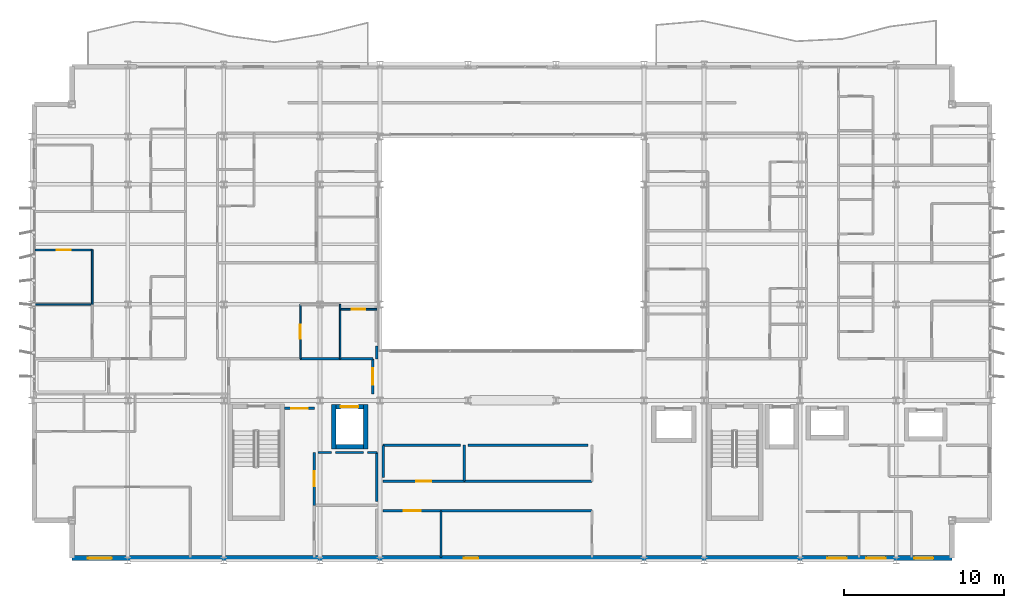
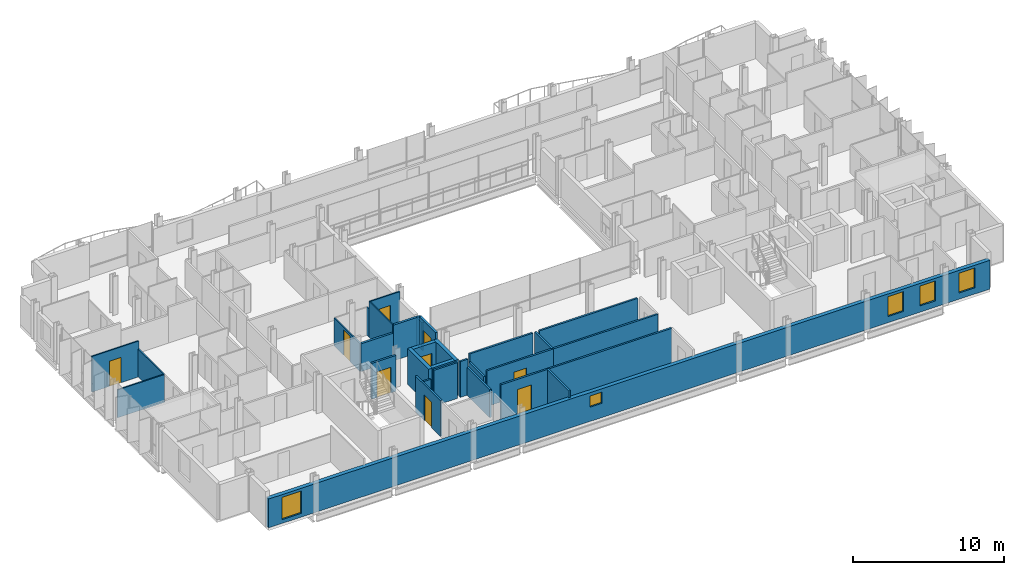
# One storey, part 28 of 38: 31 walls, 9 doors, 5 windows, 14 openings.
"""IFC4 building model written with IfcOpenShell, lengths in metres."""

import ifcopenshell
import ifcopenshell.guid

model = None  # the IFC model being written
_history = None  # IfcOwnerHistory: only IFC2X3 demands one
_inside = {}  # id of a spatial element -> (the spatial element, [elements in it])
_under = {}  # id of a project, library or spatial element -> (it, [spatial elements below it])
_declared = {}  # id of a project -> (the project, [libraries it declares])
_typed = {}  # id of a type object -> (the type object, [elements of that type])
_made_of = {}  # id of a material, layer set ... -> (it, [elements and type objects made of it])


def new_model(schema):
    """Start an empty IFC model of exactly this schema.

    Asked for "IFC4X3", IfcOpenShell would pick the latest addendum, in which some entities
    have other attributes; the version numbers below select the first issue.
    IFC2X3 requires an IfcOwnerHistory on every rooted entity: one is made here for all.
    """
    global model, _history
    if schema == "IFC4X3":
        model = ifcopenshell.file(schema_version=(4, 3, 0, 0))
    else:
        model = ifcopenshell.file(schema=schema)
    _inside.clear()
    _under.clear()
    _declared.clear()
    _typed.clear()
    _made_of.clear()
    _history = None
    if model.schema == "IFC2X3":
        org = make("IfcOrganization", Name="unknown")
        user = make(
            "IfcPersonAndOrganization",
            ThePerson=make("IfcPerson", FamilyName="unknown"),
            TheOrganization=org,
        )
        app = make(
            "IfcApplication",
            ApplicationDeveloper=org,
            Version="unknown",
            ApplicationFullName="unknown",
            ApplicationIdentifier="unknown",
        )
        _history = make(
            "IfcOwnerHistory",
            OwningUser=user,
            OwningApplication=app,
            ChangeAction="ADDED",
            CreationDate=0,
        )
    return model


def make(cls, **values):
    """One entity of the class cls with the attributes given. An attribute that is None is left unset."""
    return model.create_entity(
        cls, **{name: value for name, value in values.items() if value is not None}
    )


def rooted(cls, **values):
    """An entity with a GlobalId (a new one), such as an element, a storey or a relation."""
    return make(cls, GlobalId=ifcopenshell.guid.new(), OwnerHistory=_history, **values)


def si_unit(unit_type, name, prefix=None):
    """IfcSIUnit, for example si_unit("LENGTHUNIT", "METRE", prefix="MILLI")."""
    return make("IfcSIUnit", UnitType=unit_type, Prefix=prefix, Name=name)


def assignment(units):
    """IfcUnitAssignment: the units of a project."""
    return None if units is None else make("IfcUnitAssignment", Units=units)


def point(xyz):
    """IfcCartesianPoint."""
    return None if xyz is None else make("IfcCartesianPoint", Coordinates=xyz)


def direction(xyz):
    """IfcDirection."""
    return None if xyz is None else make("IfcDirection", DirectionRatios=xyz)


def frame(location, z_axis=None, x_axis=None):
    """IfcAxis2Placement3D, a coordinate frame: its origin and axes. An axis left out is left unset."""
    return make(
        "IfcAxis2Placement3D",
        Location=point(location),
        Axis=direction(z_axis),
        RefDirection=direction(x_axis),
    )


def frame_2d(location, x_axis=None):
    """IfcAxis2Placement2D, a coordinate frame in the plane: its origin and x axis."""
    return make(
        "IfcAxis2Placement2D", Location=point(location), RefDirection=direction(x_axis)
    )


def origin():
    """The frame at (0, 0, 0) with its axes left unset."""
    return frame((0.0, 0.0, 0.0))


def place(relative_to, where):
    """IfcLocalPlacement: puts the frame where relative to a parent placement (None: the world)."""
    return make(
        "IfcLocalPlacement", PlacementRelTo=relative_to, RelativePlacement=where
    )


def context(
    kind, dimensions, precision=None, world=None, true_north=None, identifier=None
):
    """IfcGeometricRepresentationContext, for example the 3D "Model" context."""
    return make(
        "IfcGeometricRepresentationContext",
        ContextIdentifier=identifier,
        ContextType=kind,
        CoordinateSpaceDimension=dimensions,
        Precision=precision,
        WorldCoordinateSystem=world,
        TrueNorth=true_north,
    )


def subcontext(parent, identifier, kind, view, scale=None):
    """IfcGeometricRepresentationSubContext, for example "Body" below "Model"."""
    return make(
        "IfcGeometricRepresentationSubContext",
        ContextIdentifier=identifier,
        ContextType=kind,
        ParentContext=parent,
        TargetScale=scale,
        TargetView=view,
    )


def project(units=None, contexts=None):
    """IfcProject with its units and contexts."""
    return rooted(
        "IfcProject",
        Name="project",
        RepresentationContexts=contexts,
        UnitsInContext=assignment(units),
    )


def spatial(cls, under=None, at=None, **own):
    """A site, building, storey or space (cls), placed at a placement, below another one or the project."""
    s = rooted(cls, ObjectPlacement=at, **own)
    if under is not None:
        _under.setdefault(under.id(), (under, []))[1].append(s)
    return s


def profile(cls, at=None, kind="AREA", **sizes):
    """A parametric profile (cls). Its sizes go by their IFC names, for example OverallWidth=200.0."""
    return make(cls, ProfileType=kind, Position=at, **sizes)


def rectangle(**sizes):
    """IfcRectangleProfileDef."""
    return profile("IfcRectangleProfileDef", **sizes)


def extrude(swept, where, along, depth):
    """IfcExtrudedAreaSolid: the profile swept, set in the frame where, extruded along a direction by depth."""
    return make(
        "IfcExtrudedAreaSolid",
        SweptArea=swept,
        Position=where,
        ExtrudedDirection=direction(along),
        Depth=depth,
    )


def shape(context_of_items, identifier, shape_type, items):
    """IfcShapeRepresentation: the items that make up one representation, for example the "Body"."""
    return make(
        "IfcShapeRepresentation",
        ContextOfItems=context_of_items,
        RepresentationIdentifier=identifier,
        RepresentationType=shape_type,
        Items=items,
    )


def material(Name=None, Category=None):
    """IfcMaterial."""
    return make("IfcMaterial", Name=Name, Category=Category)


def layer(
    of_material, thickness, ventilated=None, Name=None, Category=None, Priority=None
):
    """IfcMaterialLayer: one layer of a wall or slab, of a material (None: an air gap)."""
    return make(
        "IfcMaterialLayer",
        Material=of_material,
        LayerThickness=thickness,
        IsVentilated=ventilated,
        Name=Name,
        Category=Category,
        Priority=Priority,
    )


def layer_set(layers, Name=None):
    """IfcMaterialLayerSet."""
    return make("IfcMaterialLayerSet", MaterialLayers=layers, LayerSetName=Name)


def made_of(thing, what):
    """Note that an element or type object is made of a material, layer set ...; save() writes the relation."""
    if what is not None:
        _made_of.setdefault(what.id(), (what, []))[1].append(thing)
    return thing


def type_object(cls, material=None, **own):
    """A type object (cls), such as IfcWallType, which elements share."""
    return made_of(rooted(cls, **own), material)


def element(
    cls,
    number,
    at=None,
    inside=None,
    cuts=None,
    type_object=None,
    material=None,
    context=None,
    identifier="Body",
    shape_type=None,
    held_by="IfcProductDefinitionShape",
    body=None,
    shapes=None,
    **own,
):
    """One element of the class cls, such as IfcWall. Its Tag is "e" and its number.

    at: its placement. inside: the storey or other place that contains it. cuts: it is an
    opening in that element (IfcRelVoidsElement). A single representation is given by context,
    identifier, shape_type and body (its items); several are given by shapes. held_by: the class
    of the entity that holds the representations. save() writes the other relations.
    """
    e = rooted(cls, Tag="e%d" % number, ObjectPlacement=at, **own)
    if body is not None:
        shapes = [shape(context, identifier, shape_type, body)]
    if shapes is not None:
        e.Representation = make(held_by, Representations=shapes)
    if inside is not None:
        _inside.setdefault(inside.id(), (inside, []))[1].append(e)
    if cuts is not None:
        rooted(
            "IfcRelVoidsElement", RelatingBuildingElement=cuts, RelatedOpeningElement=e
        )
    if type_object is not None:
        _typed.setdefault(type_object.id(), (type_object, []))[1].append(e)
    return made_of(e, material)


def fill(opening, filler):
    """IfcRelFillsElement: the door or window that sits in an opening."""
    return rooted(
        "IfcRelFillsElement",
        RelatingOpeningElement=opening,
        RelatedBuildingElement=filler,
    )


def aggregate(whole, parts):
    """IfcRelAggregates: a whole, such as a stair, and the parts it consists of."""
    return rooted("IfcRelAggregates", RelatingObject=whole, RelatedObjects=parts)


def save(model, path):
    """Write the relations noted so far, then the file.

    IfcRelAggregates (storeys below a building ...), IfcRelContainedInSpatialStructure (elements
    in a storey), IfcRelDefinesByType, IfcRelAssociatesMaterial and IfcRelDeclares: one each for
    every whole, place, type object, material and project.
    """
    for whole, parts in _under.values():
        aggregate(whole, parts)
    for where, things in _inside.values():
        rooted(
            "IfcRelContainedInSpatialStructure",
            RelatedElements=things,
            RelatingStructure=where,
        )
    for kind, things in _typed.values():
        rooted("IfcRelDefinesByType", RelatedObjects=things, RelatingType=kind)
    for what, things in _made_of.values():
        rooted("IfcRelAssociatesMaterial", RelatedObjects=things, RelatingMaterial=what)
    for by, libraries in _declared.values():
        rooted("IfcRelDeclares", RelatingContext=by, RelatedDefinitions=libraries)
    model.write(path)


model = new_model("IFC4")

# Units and contexts
model_context = context("Model", 3, precision=1e-05, world=origin(), true_north=direction((0.0, 1.0)))
body_context = subcontext(model_context, "Body", "Model", "MODEL_VIEW")
ifc_project = project(units=[si_unit("LENGTHUNIT", "METRE"), si_unit("AREAUNIT", "SQUARE_METRE"), si_unit("VOLUMEUNIT", "CUBIC_METRE"), si_unit("PLANEANGLEUNIT", "RADIAN"), si_unit("MASSUNIT", "GRAM", prefix="KILO")], contexts=[model_context])

# Site, building, storey
site_placement = place(None, origin())
site = spatial("IfcSite", under=ifc_project, at=site_placement, CompositionType="ELEMENT")
building_placement = place(site_placement, origin())
building = spatial("IfcBuilding", under=site, at=building_placement, Name="Brevholm Reach", CompositionType="ELEMENT")
storey_placement = place(building_placement, frame((0.0, 0.0, 122.10009765625)))
storey = spatial("IfcBuildingStorey", under=building, at=storey_placement, Name="L36", CompositionType="ELEMENT", Elevation=122.10009765625)

# Walls
ifc_material_1 = material(Name="Concrete C50/60", Category="concrete")
ifc_layer_1 = layer(ifc_material_1, 0.280029296875)
ifc_layer_set_1 = layer_set([ifc_layer_1], Name="Concrete C50/60")
wall_type_1 = type_object("IfcWallType", Name="WAL-COR-280", PredefinedType="SHEAR", material=ifc_layer_set_1)
for number, where, z_axis, x_axis, name in (
    (1, (18.85009765625, 6.9599609375, 0.0), (0.0, 0.0, 1.0), (0.0, 1.0, 0.0), "L36 Lift FFL-1 Shaft Wall W"),
    (2, (20.85009765625, 6.9599609375, 0.0), (0.0, 0.0, 1.0), (0.0, 1.0, 0.0), "L36 Lift FFL-1 Shaft Wall E"),
):
    element("IfcWall", number, at=place(storey_placement, frame(where, z_axis=z_axis, x_axis=x_axis)), inside=storey, type_object=wall_type_1, Name=name, PredefinedType="SHEAR", context=body_context, shape_type="SweptSolid", body=[
        extrude(rectangle(XDim=2.780029296875, YDim=0.280029296875, at=frame_2d((1.39013671875, 0.0))), origin(), (0.0, 0.0, 1.0), 2.8798828125),
    ])
wall_1_placement = place(storey_placement, frame((18.989990234375, 7.10009765625, 0.0), z_axis=(0.0, 0.0, 1.0), x_axis=(1.0, 0.0, 0.0)))
element("IfcWall", 3, at=wall_1_placement, inside=storey, type_object=wall_type_1, Name="L36 Lift FFL-1 Shaft Wall S", PredefinedType="SHEAR", context=body_context, shape_type="SweptSolid", body=[
    extrude(rectangle(XDim=1.719970703125, YDim=0.280029296875, at=frame_2d((0.85986328125, 0.0))), origin(), (0.0, 0.0, 1.0), 2.8798828125),
])

# Wall, opening, door
wall_2_placement = place(storey_placement, frame((18.989990234375, 9.60009765625, 0.0), z_axis=(0.0, 0.0, 1.0), x_axis=(1.0, 0.0, 0.0)))
wall_2 = element("IfcWall", 4, at=wall_2_placement, inside=storey, type_object=wall_type_1, Name="L36 Lift FFL-1 Shaft Wall N", PredefinedType="SHEAR", context=body_context, shape_type="SweptSolid", body=[
    extrude(rectangle(XDim=1.719970703125, YDim=0.280029296875, at=frame_2d((0.85986328125, 0.0))), origin(), (0.0, 0.0, 1.0), 2.8798828125),
])
opening_1_placement = place(wall_2_placement, frame((0.31005859375, 0.0, 0.0)))
opening_1 = element("IfcOpeningElement", 5, at=opening_1_placement, cuts=wall_2, Name="Opening LD-FFL-1", PredefinedType="OPENING", context=body_context, shape_type="SweptSolid", body=[
    extrude(rectangle(XDim=1.10009765625, YDim=2.06005859375, at=frame_2d((0.550048828125, 1.030029296875))), frame((0.0, 0.14990234375, 0.0), z_axis=(0.0, -1.0, 0.0), x_axis=(1.0, 0.0, 0.0)), (0.0, 0.0, 1.0), 0.300048828125),
])
ifc_material_2 = material(Name="Brushed Stainless Steel Fire-Rated Sliding Lift Door", Category="steel")
door_type_1 = type_object("IfcDoorType", Name="DOR-LFT-1100", OperationType="NOTDEFINED", PredefinedType="DOOR", material=ifc_material_2)
door_1_placement = place(opening_1_placement, origin())
door_1 = element("IfcDoor", 6, at=door_1_placement, inside=storey, type_object=door_type_1, Name="L36 Lift FFL-1 Sliding Landing Door", OperationType="SLIDING_TO_RIGHT", OverallHeight=2.06005859375, OverallWidth=1.10009765625, PredefinedType="DOOR", context=body_context, shape_type="SweptSolid", body=[
    extrude(rectangle(XDim=1.10009765625, YDim=2.06005859375, at=frame_2d((0.550048828125, 1.030029296875))), frame((0.0, 0.02490234375, 0.0), z_axis=(0.0, -1.0, 0.0), x_axis=(1.0, 0.0, 0.0)), (0.0, 0.0, 1.0), 0.050048828125),
])
fill(opening_1, door_1)

# Wall, openings, windows
ifc_material_3 = material(Name="Concrete C40/50", Category="concrete")
ifc_layer_2 = layer(ifc_material_3, 0.300048828125)
ifc_layer_set_2 = layer_set([ifc_layer_2], Name="Concrete C40/50")
wall_type_2 = type_object("IfcWallType", Name="WAL-EXT-300", PredefinedType="STANDARD", material=ifc_layer_set_2)
wall_3_placement = place(storey_placement, frame((2.5, 0.14990234375, 0.0), z_axis=(0.0, 0.0, 1.0), x_axis=(1.0, 0.0, 0.0)))
wall_3 = element("IfcWall", 7, at=wall_3_placement, inside=storey, type_object=wall_type_2, Name="L36 Facade Wall WAL-L36-S", PredefinedType="STANDARD", context=body_context, shape_type="SweptSolid", body=[
    extrude(rectangle(XDim=55.0, YDim=0.300048828125, at=frame_2d((27.5, 0.0))), origin(), (0.0, 0.0, 1.0), 2.32177734375),
])
opening_2_placement = place(wall_3_placement, frame((1.0, 0.0, 0.302001953125)))
opening_2 = element("IfcOpeningElement", 8, at=opening_2_placement, cuts=wall_3, Name="Opening WN-05", PredefinedType="OPENING", context=body_context, shape_type="SweptSolid", body=[
    extrude(rectangle(XDim=1.5, YDim=1.800048828125, at=frame_2d((0.75, 0.89990234375))), frame((0.0, 0.159912109375, 0.0), z_axis=(0.0, -1.0, 0.0), x_axis=(1.0, 0.0, 0.0)), (0.0, 0.0, 1.0), 0.320068359375),
])
opening_3_placement = place(wall_3_placement, frame((24.5, 0.0, 1.14990234375)))
opening_3 = element("IfcOpeningElement", 9, at=opening_3_placement, cuts=wall_3, Name="Opening WN-09", PredefinedType="OPENING", context=body_context, shape_type="SweptSolid", body=[
    extrude(rectangle(XDim=0.89990234375, YDim=0.89990234375, at=frame_2d((0.449951171875, 0.449951171875))), frame((0.0, 0.159912109375, 0.0), z_axis=(0.0, -1.0, 0.0), x_axis=(1.0, 0.0, 0.0)), (0.0, 0.0, 1.0), 0.320068359375),
])
opening_4_placement = place(wall_3_placement, frame((47.199951171875, 0.0, 0.501953125)))
opening_4 = element("IfcOpeningElement", 10, at=opening_4_placement, cuts=wall_3, Name="Opening WN-08", PredefinedType="OPENING", context=body_context, shape_type="SweptSolid", body=[
    extrude(rectangle(XDim=1.199951171875, YDim=1.60009765625, at=frame_2d((0.60009765625, 0.800048828125))), frame((0.0, 0.159912109375, 0.0), z_axis=(0.0, -1.0, 0.0), x_axis=(1.0, 0.0, 0.0)), (0.0, 0.0, 1.0), 0.320068359375),
])
opening_5_placement = place(wall_3_placement, frame((52.6298828125, 0.0, 0.501953125)))
opening_5 = element("IfcOpeningElement", 11, at=opening_5_placement, cuts=wall_3, Name="Opening WN-08", PredefinedType="OPENING", context=body_context, shape_type="SweptSolid", body=[
    extrude(rectangle(XDim=1.199951171875, YDim=1.60009765625, at=frame_2d((0.60009765625, 0.800048828125))), frame((0.0, 0.159912109375, 0.0), z_axis=(0.0, -1.0, 0.0), x_axis=(1.0, 0.0, 0.0)), (0.0, 0.0, 1.0), 0.320068359375),
])
opening_6_placement = place(wall_3_placement, frame((49.643310546875, 0.0, 0.501953125)))
opening_6 = element("IfcOpeningElement", 12, at=opening_6_placement, cuts=wall_3, Name="Opening WN-08", PredefinedType="OPENING", context=body_context, shape_type="SweptSolid", body=[
    extrude(rectangle(XDim=1.199951171875, YDim=1.60009765625, at=frame_2d((0.60009765625, 0.800048828125))), frame((0.0, 0.159912109375, 0.0), z_axis=(0.0, -1.0, 0.0), x_axis=(1.0, 0.0, 0.0)), (0.0, 0.0, 1.0), 0.320068359375),
])
ifc_material_4 = material(Name="Dark Anodised Aluminium and Solar-Control IGU Glass", Category="aluminium")
window_type_1 = type_object("IfcWindowType", Name="WIN-POR-0900", PartitioningType="SINGLE_PANEL", PredefinedType="WINDOW", material=ifc_material_4)
window_1_placement = place(opening_3_placement, origin())
window_1 = element("IfcWindow", 13, at=window_1_placement, inside=storey, type_object=window_type_1, Name="L36 Window WIN-L36-S-POR", OverallHeight=0.89990234375, OverallWidth=0.89990234375, PartitioningType="SINGLE_PANEL", PredefinedType="WINDOW", context=body_context, shape_type="SweptSolid", body=[
    extrude(rectangle(XDim=0.89990234375, YDim=0.89990234375, at=frame_2d((0.449951171875, 0.449951171875))), frame((0.0, 0.030029296875, 0.0), z_axis=(0.0, -1.0, 0.0), x_axis=(1.0, 0.0, 0.0)), (0.0, 0.0, 1.0), 0.06005859375),
])
fill(opening_3, window_1)
ifc_material_5 = material(Name="Dark Anodised Aluminium and Solar-Control IGU Glass", Category="aluminium")
window_type_2 = type_object("IfcWindowType", Name="WIN-RES-1200", PartitioningType="SINGLE_PANEL", PredefinedType="WINDOW", material=ifc_material_5)
window_2_placement = place(opening_4_placement, origin())
window_2 = element("IfcWindow", 14, at=window_2_placement, inside=storey, type_object=window_type_2, Name="L36 Window WIN-L36-S-E1", OverallHeight=1.60009765625, OverallWidth=1.199951171875, PartitioningType="SINGLE_PANEL", PredefinedType="WINDOW", context=body_context, shape_type="SweptSolid", body=[
    extrude(rectangle(XDim=1.199951171875, YDim=1.60009765625, at=frame_2d((0.60009765625, 0.800048828125))), frame((0.0, 0.030029296875, 0.0), z_axis=(0.0, -1.0, 0.0), x_axis=(1.0, 0.0, 0.0)), (0.0, 0.0, 1.0), 0.06005859375),
])
fill(opening_4, window_2)
window_3_placement = place(opening_5_placement, origin())
window_3 = element("IfcWindow", 15, at=window_3_placement, inside=storey, type_object=window_type_2, Name="L36 Window WIN-L36-S-E2", OverallHeight=1.60009765625, OverallWidth=1.199951171875, PartitioningType="SINGLE_PANEL", PredefinedType="WINDOW", context=body_context, shape_type="SweptSolid", body=[
    extrude(rectangle(XDim=1.199951171875, YDim=1.60009765625, at=frame_2d((0.60009765625, 0.800048828125))), frame((0.0, 0.030029296875, 0.0), z_axis=(0.0, -1.0, 0.0), x_axis=(1.0, 0.0, 0.0)), (0.0, 0.0, 1.0), 0.06005859375),
])
fill(opening_5, window_3)
window_4_placement = place(opening_6_placement, origin())
window_4 = element("IfcWindow", 16, at=window_4_placement, inside=storey, type_object=window_type_2, Name="L36 Bedroom Window 041", OverallHeight=1.60009765625, OverallWidth=1.199951171875, PartitioningType="SINGLE_PANEL", PredefinedType="WINDOW", context=body_context, shape_type="SweptSolid", body=[
    extrude(rectangle(XDim=1.199951171875, YDim=1.60009765625, at=frame_2d((0.60009765625, 0.800048828125))), frame((0.0, 0.030029296875, 0.0), z_axis=(0.0, -1.0, 0.0), x_axis=(1.0, 0.0, 0.0)), (0.0, 0.0, 1.0), 0.06005859375),
])
fill(opening_6, window_4)
ifc_material_6 = material(Name="Dark Anodised Aluminium and Solar-Control IGU Glass", Category="aluminium")
window_type_3 = type_object("IfcWindowType", Name="WIN-RES-1500", PartitioningType="SINGLE_PANEL", PredefinedType="WINDOW", material=ifc_material_6)
window_5_placement = place(opening_2_placement, origin())
window_5 = element("IfcWindow", 17, at=window_5_placement, inside=storey, type_object=window_type_3, Name="L36 Window WIN-L36-S-W1", OverallHeight=1.800048828125, OverallWidth=1.5, PartitioningType="SINGLE_PANEL", PredefinedType="WINDOW", context=body_context, shape_type="SweptSolid", body=[
    extrude(rectangle(XDim=1.5, YDim=1.800048828125, at=frame_2d((0.75, 0.89990234375))), frame((0.0, 0.030029296875, 0.0), z_axis=(0.0, -1.0, 0.0), x_axis=(1.0, 0.0, 0.0)), (0.0, 0.0, 1.0), 0.06005859375),
])
fill(opening_2, window_5)

# Walls
ifc_material_7 = material(Name="Moisture-Resistant Acoustic Gypsum Stud Partition 100 mm", Category="gypsum")
ifc_layer_3 = layer(ifc_material_7, 0.10009765625)
ifc_layer_set_3 = layer_set([ifc_layer_3], Name="Moisture-Resistant Acoustic Gypsum Stud Partition 100 mm")
wall_type_3 = type_object("IfcWallType", Name="WAL-PRT-100", PredefinedType="PARTITIONING", material=ifc_layer_set_3)
wall_4_placement = place(storey_placement, frame((0.199951171875, 16.0, 0.0), z_axis=(0.0, 0.0, 1.0), x_axis=(1.0, 0.0, 0.0)))
element("IfcWall", 18, at=wall_4_placement, inside=storey, type_object=wall_type_3, Name="L36 Internal Partition 092", PredefinedType="PARTITIONING", context=body_context, shape_type="SweptSolid", body=[
    extrude(rectangle(XDim=3.572021484375, YDim=0.10009765625, at=frame_2d((1.7861328125, 0.0))), origin(), (0.0, 0.0, 1.0), 2.24267578125),
])
wall_5_placement = place(storey_placement, frame((3.77197265625, 16.00390625, 0.0), z_axis=(0.0, 0.0, 1.0), x_axis=(0.0, 1.0, 0.0)))
element("IfcWall", 19, at=wall_5_placement, inside=storey, type_object=wall_type_3, Name="L36 Internal Partition 094", PredefinedType="PARTITIONING", context=body_context, shape_type="SweptSolid", body=[
    extrude(rectangle(XDim=3.39599609375, YDim=0.10009765625, at=frame_2d((1.697998046875, 0.0))), origin(), (0.0, 0.0, 1.0), 2.24267578125),
])

# Wall, opening, door
wall_6_placement = place(storey_placement, frame((0.199951171875, 19.39990234375, 0.0), z_axis=(0.0, 0.0, 1.0), x_axis=(1.0, 0.0, 0.0)))
wall_6 = element("IfcWall", 20, at=wall_6_placement, inside=storey, type_object=wall_type_3, Name="L36 Internal Partition 095", PredefinedType="PARTITIONING", context=body_context, shape_type="SweptSolid", body=[
    extrude(rectangle(XDim=3.572021484375, YDim=0.10009765625, at=frame_2d((1.7861328125, 0.0))), origin(), (0.0, 0.0, 1.0), 2.8798828125),
])
opening_7_placement = place(wall_6_placement, frame((1.345947265625, 0.0, 0.0)))
opening_7 = element("IfcOpeningElement", 21, at=opening_7_placement, cuts=wall_6, Name="Opening ID-01", PredefinedType="OPENING", context=body_context, shape_type="SweptSolid", body=[
    extrude(rectangle(XDim=0.8798828125, YDim=2.0400390625, at=frame_2d((0.43994140625, 1.02001953125))), frame((0.0, 0.06005859375, 0.0), z_axis=(0.0, -1.0, 0.0), x_axis=(1.0, 0.0, 0.0)), (0.0, 0.0, 1.0), 0.1201171875),
])
ifc_material_8 = material(Name="Lacquered Ash Solid-Core Acoustic Internal Door", Category="timber")
door_type_2 = type_object("IfcDoorType", Name="DOR-INT-880", OperationType="NOTDEFINED", PredefinedType="DOOR", material=ifc_material_8)
door_2_placement = place(opening_7_placement, origin())
door_2 = element("IfcDoor", 22, at=door_2_placement, inside=storey, type_object=door_type_2, Name="L36 Internal Door 036", OperationType="SINGLE_SWING_RIGHT", OverallHeight=2.0400390625, OverallWidth=0.8798828125, PredefinedType="DOOR", context=body_context, shape_type="SweptSolid", body=[
    extrude(rectangle(XDim=0.8798828125, YDim=2.0400390625, at=frame_2d((0.43994140625, 1.02001953125))), frame((0.0, 0.02490234375, 0.0), z_axis=(0.0, -1.0, 0.0), x_axis=(1.0, 0.0, 0.0)), (0.0, 0.0, 1.0), 0.050048828125),
])
fill(opening_7, door_2)

# Wall
wall_7_placement = place(storey_placement, frame((19.260986328125, 12.60400390625, 0.0), z_axis=(0.0, 0.0, 1.0), x_axis=(0.0, 1.0, 0.0)))
element("IfcWall", 23, at=wall_7_placement, inside=storey, type_object=wall_type_3, Name="L36 Internal Partition 105", PredefinedType="PARTITIONING", context=body_context, shape_type="SweptSolid", body=[
    extrude(rectangle(XDim=3.095947265625, YDim=0.10009765625, at=frame_2d((1.5478515625, 0.0))), origin(), (0.0, 0.0, 1.0), 2.8798828125),
])

# Wall, opening, door
wall_8_placement = place(storey_placement, frame((19.260986328125, 15.699951171875, 0.0), z_axis=(0.0, 0.0, 1.0), x_axis=(1.0, 0.0, 0.0)))
wall_8 = element("IfcWall", 24, at=wall_8_placement, inside=storey, type_object=wall_type_3, Name="L36 Internal Partition 106", PredefinedType="PARTITIONING", context=body_context, shape_type="SweptSolid", body=[
    extrude(rectangle(XDim=2.2890625, YDim=0.10009765625, at=frame_2d((1.14453125, 0.0))), origin(), (0.0, 0.0, 1.0), 2.8798828125),
])
opening_8_placement = place(wall_8_placement, frame((0.734619140625, 0.0, 0.0)))
opening_8 = element("IfcOpeningElement", 25, at=opening_8_placement, cuts=wall_8, Name="Opening ID-03", PredefinedType="OPENING", context=body_context, shape_type="SweptSolid", body=[
    extrude(rectangle(XDim=0.820068359375, YDim=2.02001953125, at=frame_2d((0.41015625, 1.010009765625))), frame((0.0, 0.06005859375, 0.0), z_axis=(0.0, -1.0, 0.0), x_axis=(1.0, 0.0, 0.0)), (0.0, 0.0, 1.0), 0.1201171875),
])
ifc_material_9 = material(Name="Moisture-Resistant Painted Timber Internal Bathroom Door", Category="wood")
door_type_3 = type_object("IfcDoorType", Name="DOR-BATH-820", OperationType="NOTDEFINED", PredefinedType="DOOR", material=ifc_material_9)
door_3_placement = place(opening_8_placement, origin())
door_3 = element("IfcDoor", 26, at=door_3_placement, inside=storey, type_object=door_type_3, Name="L36 Internal Door 040", OperationType="SINGLE_SWING_RIGHT", OverallHeight=2.02001953125, OverallWidth=0.820068359375, PredefinedType="DOOR", context=body_context, shape_type="SweptSolid", body=[
    extrude(rectangle(XDim=0.820068359375, YDim=2.02001953125, at=frame_2d((0.41015625, 1.010009765625))), frame((0.0, 0.02490234375, 0.0), z_axis=(0.0, -1.0, 0.0), x_axis=(1.0, 0.0, 0.0)), (0.0, 0.0, 1.0), 0.050048828125),
])
fill(opening_8, door_3)

# Wall
wall_9_placement = place(storey_placement, frame((19.260986328125, 15.7041015625, 0.0), z_axis=(0.0, 0.0, 1.0), x_axis=(0.0, 1.0, 0.0)))
element("IfcWall", 27, at=wall_9_placement, inside=storey, type_object=wall_type_3, Name="L36 Internal Partition 107", PredefinedType="PARTITIONING", context=body_context, shape_type="SweptSolid", body=[
    extrude(rectangle(XDim=0.2958984375, YDim=0.10009765625, at=frame_2d((0.14794921875, 0.0))), origin(), (0.0, 0.0, 1.0), 2.24267578125),
])

# Wall, opening, door
wall_10_placement = place(storey_placement, frame((16.77294921875, 12.60400390625, 0.0), z_axis=(0.0, 0.0, 1.0), x_axis=(0.0, 1.0, 0.0)))
wall_10 = element("IfcWall", 28, at=wall_10_placement, inside=storey, type_object=wall_type_3, Name="L36 Internal Partition 109", PredefinedType="PARTITIONING", context=body_context, shape_type="SweptSolid", body=[
    extrude(rectangle(XDim=3.39599609375, YDim=0.10009765625, at=frame_2d((1.697998046875, 0.0))), origin(), (0.0, 0.0, 1.0), 2.24267578125),
])
opening_9_placement = place(wall_10_placement, frame((1.258056640625, 0.0, 0.0)))
opening_9 = element("IfcOpeningElement", 29, at=opening_9_placement, cuts=wall_10, Name="Opening ID-01", PredefinedType="OPENING", context=body_context, shape_type="SweptSolid", body=[
    extrude(rectangle(XDim=0.8798828125, YDim=2.0400390625, at=frame_2d((0.43994140625, 1.02001953125))), frame((0.0, 0.06005859375, 0.0), z_axis=(0.0, -1.0, 0.0), x_axis=(1.0, 0.0, 0.0)), (0.0, 0.0, 1.0), 0.1201171875),
])
door_4_placement = place(opening_9_placement, origin())
door_4 = element("IfcDoor", 30, at=door_4_placement, inside=storey, type_object=door_type_2, Name="L36 Internal Door 041", OperationType="SINGLE_SWING_LEFT", OverallHeight=2.0400390625, OverallWidth=0.8798828125, PredefinedType="DOOR", context=body_context, shape_type="SweptSolid", body=[
    extrude(rectangle(XDim=0.8798828125, YDim=2.0400390625, at=frame_2d((0.43994140625, 1.02001953125))), frame((0.0, 0.02490234375, 0.0), z_axis=(0.0, -1.0, 0.0), x_axis=(1.0, 0.0, 0.0)), (0.0, 0.0, 1.0), 0.050048828125),
])
fill(opening_9, door_4)

ifc_material_10 = material(Name="Twin-Stud Acoustic Fire-Rated Gypsum Partition 140 mm", Category="gypsum")
ifc_layer_4 = layer(ifc_material_10, 0.139892578125)
ifc_layer_set_4 = layer_set([ifc_layer_4], Name="Twin-Stud Acoustic Fire-Rated Gypsum Partition 140 mm")
wall_type_4 = type_object("IfcWallType", Name="WAL-PRT-140", PredefinedType="PARTITIONING", material=ifc_layer_set_4)
wall_11_placement = place(storey_placement, frame((21.949951171875, 3.10009765625, 0.0), z_axis=(0.0, 0.0, 1.0), x_axis=(1.0, 0.0, 0.0)))
wall_11 = element("IfcWall", 31, at=wall_11_placement, inside=storey, type_object=wall_type_4, Name="L36 Internal Partition 003", PredefinedType="PARTITIONING", context=body_context, shape_type="SweptSolid", body=[
    extrude(rectangle(XDim=3.621337890625, YDim=0.139892578125, at=frame_2d((1.810546875, 0.0))), origin(), (0.0, 0.0, 1.0), 2.8798828125),
])
opening_10_placement = place(wall_11_placement, frame((1.28564453125, 0.0, 0.0)))
opening_10 = element("IfcOpeningElement", 32, at=opening_10_placement, cuts=wall_11, Name="Opening FD-01", PredefinedType="OPENING", context=body_context, shape_type="SweptSolid", body=[
    extrude(rectangle(XDim=1.050048828125, YDim=2.06005859375, at=frame_2d((0.52490234375, 1.030029296875))), frame((0.0, 0.079833984375, 0.0), z_axis=(0.0, -1.0, 0.0), x_axis=(1.0, 0.0, 0.0)), (0.0, 0.0, 1.0), 0.159912109375),
])
ifc_material_11 = material(Name="Hardwood-Lipped Steel-Core Fire and Smoke Door", Category="steel")
door_type_4 = type_object("IfcDoorType", Name="DOR-INT-FD60S", OperationType="NOTDEFINED", PredefinedType="DOOR", material=ifc_material_11)
door_5_placement = place(opening_10_placement, origin())
door_5 = element("IfcDoor", 33, at=door_5_placement, inside=storey, type_object=door_type_4, Name="L36 Internal Door 003", OperationType="SINGLE_SWING_LEFT", OverallHeight=2.06005859375, OverallWidth=1.050048828125, PredefinedType="DOOR", context=body_context, shape_type="SweptSolid", body=[
    extrude(rectangle(XDim=1.050048828125, YDim=2.06005859375, at=frame_2d((0.52490234375, 1.030029296875))), frame((0.0, 0.02490234375, 0.0), z_axis=(0.0, -1.0, 0.0), x_axis=(1.0, 0.0, 0.0)), (0.0, 0.0, 1.0), 0.050048828125),
])
fill(opening_10, door_5)

# Wall
wall_12_placement = place(storey_placement, frame((25.552734375, 3.10009765625, 0.0), z_axis=(0.0, 0.0, 1.0), x_axis=(1.0, 0.0, 0.0)))
element("IfcWall", 34, at=wall_12_placement, inside=storey, type_object=wall_type_4, Name="L36 Internal Partition 004", PredefinedType="PARTITIONING", context=body_context, shape_type="SweptSolid", body=[
    extrude(rectangle(XDim=9.443359375, YDim=0.139892578125, at=frame_2d((4.7216796875, 0.0))), origin(), (0.0, 0.0, 1.0), 2.8798828125),
])

# Wall, opening, door
wall_13_placement = place(storey_placement, frame((21.949951171875, 4.949951171875, 0.0), z_axis=(0.0, 0.0, 1.0), x_axis=(1.0, 0.0, 0.0)))
wall_13 = element("IfcWall", 35, at=wall_13_placement, inside=storey, type_object=wall_type_4, Name="L36 Internal Partition 005", PredefinedType="PARTITIONING", context=body_context, shape_type="SweptSolid", body=[
    extrude(rectangle(XDim=5.0712890625, YDim=0.139892578125, at=frame_2d((2.53564453125, 0.0))), origin(), (0.0, 0.0, 1.0), 2.8798828125),
])
opening_11_placement = place(wall_13_placement, frame((2.060791015625, 0.0, 0.0)))
opening_11 = element("IfcOpeningElement", 36, at=opening_11_placement, cuts=wall_13, Name="Opening ID-30", PredefinedType="OPENING", context=body_context, shape_type="SweptSolid", body=[
    extrude(rectangle(XDim=0.949951171875, YDim=2.050048828125, at=frame_2d((0.47509765625, 1.02490234375))), frame((0.0, 0.079833984375, 0.0), z_axis=(0.0, -1.0, 0.0), x_axis=(1.0, 0.0, 0.0)), (0.0, 0.0, 1.0), 0.159912109375),
])
ifc_material_12 = material(Name="European Oak Veneered Solid-Core Fire Entrance Door", Category="timber")
door_type_5 = type_object("IfcDoorType", Name="DOR-FLT-FD30S", OperationType="NOTDEFINED", PredefinedType="DOOR", material=ifc_material_12)
door_6_placement = place(opening_11_placement, origin())
door_6 = element("IfcDoor", 37, at=door_6_placement, inside=storey, type_object=door_type_5, Name="L36 Internal Door 004", OperationType="SINGLE_SWING_RIGHT", OverallHeight=2.050048828125, OverallWidth=0.949951171875, PredefinedType="DOOR", context=body_context, shape_type="SweptSolid", body=[
    extrude(rectangle(XDim=0.949951171875, YDim=2.050048828125, at=frame_2d((0.47509765625, 1.02490234375))), frame((0.0, 0.02490234375, 0.0), z_axis=(0.0, -1.0, 0.0), x_axis=(1.0, 0.0, 0.0)), (0.0, 0.0, 1.0), 0.050048828125),
])
fill(opening_11, door_6)

# Walls
wall_14_placement = place(storey_placement, frame((27.002685546875, 4.949951171875, 0.0), z_axis=(0.0, 0.0, 1.0), x_axis=(1.0, 0.0, 0.0)))
element("IfcWall", 38, at=wall_14_placement, inside=storey, type_object=wall_type_4, Name="L36 Internal Partition 006", PredefinedType="PARTITIONING", context=body_context, shape_type="SweptSolid", body=[
    extrude(rectangle(XDim=7.993408203125, YDim=0.139892578125, at=frame_2d((3.99658203125, 0.0))), origin(), (0.0, 0.0, 1.0), 2.8798828125),
])
wall_15_placement = place(storey_placement, frame((25.56005859375, 0.179931640625, 0.0), z_axis=(0.0, 0.0, 1.0), x_axis=(0.0, 1.0, 0.0)))
element("IfcWall", 39, at=wall_15_placement, inside=storey, type_object=wall_type_4, Name="L36 Internal Partition 007", PredefinedType="PARTITIONING", context=body_context, shape_type="SweptSolid", body=[
    extrude(rectangle(XDim=2.916015625, YDim=0.139892578125, at=frame_2d((1.4580078125, 0.0))), origin(), (0.0, 0.0, 1.0), 2.8798828125),
])
wall_16_placement = place(storey_placement, frame((27.010009765625, 4.9541015625, 0.0), z_axis=(0.0, 0.0, 1.0), x_axis=(0.0, 1.0, 0.0)))
element("IfcWall", 40, at=wall_16_placement, inside=storey, type_object=wall_type_4, Name="L36 Internal Partition 008", PredefinedType="PARTITIONING", context=body_context, shape_type="SweptSolid", body=[
    extrude(rectangle(XDim=2.245849609375, YDim=0.139892578125, at=frame_2d((1.123046875, 0.0))), origin(), (0.0, 0.0, 1.0), 2.8798828125),
])

# Wall, opening, door
wall_17_placement = place(storey_placement, frame((17.64990234375, 3.442626953125, 0.0), z_axis=(0.0, 0.0, 1.0), x_axis=(0.0, 1.0, 0.0)))
wall_17 = element("IfcWall", 41, at=wall_17_placement, inside=storey, type_object=wall_type_4, Name="L36 Internal Partition 010", PredefinedType="PARTITIONING", context=body_context, shape_type="SweptSolid", body=[
    extrude(rectangle(XDim=3.318603515625, YDim=0.139892578125, at=frame_2d((1.6591796875, 0.0))), origin(), (0.0, 0.0, 1.0), 2.8798828125),
])
opening_12_placement = place(wall_17_placement, frame((1.184326171875, 0.0, 0.0)))
opening_12 = element("IfcOpeningElement", 42, at=opening_12_placement, cuts=wall_17, Name="Opening ID-30", PredefinedType="OPENING", context=body_context, shape_type="SweptSolid", body=[
    extrude(rectangle(XDim=0.949951171875, YDim=2.050048828125, at=frame_2d((0.47509765625, 1.02490234375))), frame((0.0, 0.079833984375, 0.0), z_axis=(0.0, -1.0, 0.0), x_axis=(1.0, 0.0, 0.0)), (0.0, 0.0, 1.0), 0.159912109375),
])
door_7_placement = place(opening_12_placement, origin())
door_7 = element("IfcDoor", 43, at=door_7_placement, inside=storey, type_object=door_type_5, Name="L36 Internal Door 006", OperationType="SINGLE_SWING_RIGHT", OverallHeight=2.050048828125, OverallWidth=0.949951171875, PredefinedType="DOOR", context=body_context, shape_type="SweptSolid", body=[
    extrude(rectangle(XDim=0.949951171875, YDim=2.050048828125, at=frame_2d((0.47509765625, 1.02490234375))), frame((0.0, 0.02490234375, 0.0), z_axis=(0.0, -1.0, 0.0), x_axis=(1.0, 0.0, 0.0)), (0.0, 0.0, 1.0), 0.050048828125),
])
fill(opening_12, door_7)

# Walls
wall_18_placement = place(storey_placement, frame((21.949951171875, 7.199951171875, 0.0), z_axis=(0.0, 0.0, 1.0), x_axis=(1.0, 0.0, 0.0)))
element("IfcWall", 44, at=wall_18_placement, inside=storey, type_object=wall_type_4, Name="L36 Internal Partition 161", PredefinedType="PARTITIONING", context=body_context, shape_type="SweptSolid", body=[
    extrude(rectangle(XDim=4.820068359375, YDim=0.139892578125, at=frame_2d((2.41015625, 0.0))), origin(), (0.0, 0.0, 1.0), 2.8798828125),
])
wall_19_placement = place(storey_placement, frame((21.949951171875, 5.18994140625, 0.0), z_axis=(0.0, 0.0, 1.0), x_axis=(0.0, 1.0, 0.0)))
element("IfcWall", 45, at=wall_19_placement, inside=storey, type_object=wall_type_4, Name="L36 Internal Partition 162", PredefinedType="PARTITIONING", context=body_context, shape_type="SweptSolid", body=[
    extrude(rectangle(XDim=2.010009765625, YDim=0.139892578125, at=frame_2d((1.0048828125, 0.0))), origin(), (0.0, 0.0, 1.0), 2.24267578125),
])
wall_20_placement = place(storey_placement, frame((27.25, 7.199951171875, 0.0), z_axis=(0.0, 0.0, 1.0), x_axis=(1.0, 0.0, 0.0)))
element("IfcWall", 46, at=wall_20_placement, inside=storey, type_object=wall_type_4, Name="L36 Internal Partition 163", PredefinedType="PARTITIONING", context=body_context, shape_type="SweptSolid", body=[
    extrude(rectangle(XDim=7.510009765625, YDim=0.139892578125, at=frame_2d((3.7548828125, 0.0))), origin(), (0.0, 0.0, 1.0), 2.8798828125),
])
wall_21_placement = place(storey_placement, frame((21.550048828125, 3.68994140625, 0.0), z_axis=(0.0, 0.0, 1.0), x_axis=(0.0, 1.0, 0.0)))
element("IfcWall", 47, at=wall_21_placement, inside=storey, type_object=wall_type_4, Name="L36 Internal Partition 165", PredefinedType="PARTITIONING", context=body_context, shape_type="SweptSolid", body=[
    extrude(rectangle(XDim=3.06005859375, YDim=0.139892578125, at=frame_2d((1.530029296875, 0.0))), origin(), (0.0, 0.0, 1.0), 2.24267578125),
])
wall_22_placement = place(storey_placement, frame((20.9658203125, 6.75, 0.0), z_axis=(0.0, 0.0, 1.0), x_axis=(1.0, 0.0, 0.0)))
element("IfcWall", 48, at=wall_22_placement, inside=storey, type_object=wall_type_4, Name="L36 Internal Partition 166", PredefinedType="PARTITIONING", context=body_context, shape_type="SweptSolid", body=[
    extrude(rectangle(XDim=0.584228515625, YDim=0.139892578125, at=frame_2d((0.2919921875, 0.0))), origin(), (0.0, 0.0, 1.0), 2.8798828125),
])
wall_23_placement = place(storey_placement, frame((18.9658203125, 6.75, 0.0), z_axis=(0.0, 0.0, 1.0), x_axis=(1.0, 0.0, 0.0)))
element("IfcWall", 49, at=wall_23_placement, inside=storey, type_object=wall_type_4, Name="L36 Internal Partition 167", PredefinedType="PARTITIONING", context=body_context, shape_type="SweptSolid", body=[
    extrude(rectangle(XDim=1.768310546875, YDim=0.139892578125, at=frame_2d((0.88427734375, 0.0))), origin(), (0.0, 0.0, 1.0), 2.8798828125),
])
wall_24_placement = place(storey_placement, frame((17.889892578125, 6.75, 0.0), z_axis=(0.0, 0.0, 1.0), x_axis=(1.0, 0.0, 0.0)))
element("IfcWall", 50, at=wall_24_placement, inside=storey, type_object=wall_type_4, Name="L36 Internal Partition 168", PredefinedType="PARTITIONING", context=body_context, shape_type="SweptSolid", body=[
    extrude(rectangle(XDim=0.84423828125, YDim=0.139892578125, at=frame_2d((0.422119140625, 0.0))), origin(), (0.0, 0.0, 1.0), 2.24267578125),
])
wall_25_placement = place(storey_placement, frame((21.550048828125, 12.60400390625, 0.0), z_axis=(0.0, 0.0, 1.0), x_axis=(0.0, 1.0, 0.0)))
element("IfcWall", 51, at=wall_25_placement, inside=storey, type_object=wall_type_4, Name="L36 Internal Partition 169", PredefinedType="PARTITIONING", context=body_context, shape_type="SweptSolid", body=[
    extrude(rectangle(XDim=0.811279296875, YDim=0.139892578125, at=frame_2d((0.40576171875, 0.0))), origin(), (0.0, 0.0, 1.0), 2.24267578125),
])

# Wall, opening, door
ifc_material_13 = material(Name="Twin-Frame Fire-Rated Gypsum Board and Mineral Wool 160 mm", Category="gypsum")
ifc_layer_5 = layer(ifc_material_13, 0.159912109375)
ifc_layer_set_5 = layer_set([ifc_layer_5], Name="Twin-Frame Fire-Rated Gypsum Board and Mineral Wool 160 mm")
wall_type_5 = type_object("IfcWallType", Name="WAL-PRT-160", PredefinedType="PARTITIONING", material=ifc_layer_set_5)
wall_26_placement = place(storey_placement, frame((15.800048828125, 9.5, 0.0), z_axis=(0.0, 0.0, 1.0), x_axis=(1.0, 0.0, 0.0)))
wall_26 = element("IfcWall", 52, at=wall_26_placement, inside=storey, type_object=wall_type_5, Name="L36 Internal Partition 011", PredefinedType="PARTITIONING", context=body_context, shape_type="SweptSolid", body=[
    extrude(rectangle(XDim=1.849853515625, YDim=0.159912109375, at=frame_2d((0.9248046875, 0.0))), origin(), (0.0, 0.0, 1.0), 2.8798828125),
])
opening_13_placement = place(wall_26_placement, frame((0.39990234375, 0.0, 0.0)))
opening_13 = element("IfcOpeningElement", 53, at=opening_13_placement, cuts=wall_26, Name="Opening FD-01", PredefinedType="OPENING", context=body_context, shape_type="SweptSolid", body=[
    extrude(rectangle(XDim=1.050048828125, YDim=2.06005859375, at=frame_2d((0.52490234375, 1.030029296875))), frame((0.0, 0.08984375, 0.0), z_axis=(0.0, -1.0, 0.0), x_axis=(1.0, 0.0, 0.0)), (0.0, 0.0, 1.0), 0.179931640625),
])
door_8_placement = place(opening_13_placement, origin())
door_8 = element("IfcDoor", 54, at=door_8_placement, inside=storey, type_object=door_type_4, Name="L36 Internal Door 007", OperationType="SINGLE_SWING_LEFT", OverallHeight=2.06005859375, OverallWidth=1.050048828125, PredefinedType="DOOR", context=body_context, shape_type="SweptSolid", body=[
    extrude(rectangle(XDim=1.050048828125, YDim=2.06005859375, at=frame_2d((0.52490234375, 1.030029296875))), frame((0.0, 0.02490234375, 0.0), z_axis=(0.0, -1.0, 0.0), x_axis=(1.0, 0.0, 0.0)), (0.0, 0.0, 1.0), 0.050048828125),
])
fill(opening_13, door_8)

wall_27_placement = place(storey_placement, frame((21.300048828125, 10.388671875, 0.0), z_axis=(0.0, 0.0, 1.0), x_axis=(0.0, 1.0, 0.0)))
wall_27 = element("IfcWall", 55, at=wall_27_placement, inside=storey, type_object=wall_type_5, Name="L36 Internal Partition 018", PredefinedType="PARTITIONING", context=body_context, shape_type="SweptSolid", body=[
    extrude(rectangle(XDim=2.21142578125, YDim=0.159912109375, at=frame_2d((1.105712890625, 0.0))), origin(), (0.0, 0.0, 1.0), 2.8798828125),
])
opening_14_placement = place(wall_27_placement, frame((0.58056640625, 0.0, 0.0)))
opening_14 = element("IfcOpeningElement", 56, at=opening_14_placement, cuts=wall_27, Name="Opening FD-01", PredefinedType="OPENING", context=body_context, shape_type="SweptSolid", body=[
    extrude(rectangle(XDim=1.050048828125, YDim=2.06005859375, at=frame_2d((0.52490234375, 1.030029296875))), frame((0.0, 0.08984375, 0.0), z_axis=(0.0, -1.0, 0.0), x_axis=(1.0, 0.0, 0.0)), (0.0, 0.0, 1.0), 0.179931640625),
])
door_9_placement = place(opening_14_placement, origin())
door_9 = element("IfcDoor", 57, at=door_9_placement, inside=storey, type_object=door_type_4, Name="L36 Internal Door 012", OperationType="SINGLE_SWING_RIGHT", OverallHeight=2.06005859375, OverallWidth=1.050048828125, PredefinedType="DOOR", context=body_context, shape_type="SweptSolid", body=[
    extrude(rectangle(XDim=1.050048828125, YDim=2.06005859375, at=frame_2d((0.52490234375, 1.030029296875))), frame((0.0, 0.02490234375, 0.0), z_axis=(0.0, -1.0, 0.0), x_axis=(1.0, 0.0, 0.0)), (0.0, 0.0, 1.0), 0.050048828125),
])
fill(opening_14, door_9)

# Walls
wall_28_placement = place(storey_placement, frame((19.249755859375, 12.60009765625, 0.0), z_axis=(0.0, 0.0, 1.0), x_axis=(1.0, 0.0, 0.0)))
element("IfcWall", 58, at=wall_28_placement, inside=storey, type_object=wall_type_5, Name="L36 Internal Partition 020", PredefinedType="PARTITIONING", context=body_context, shape_type="SweptSolid", body=[
    extrude(rectangle(XDim=2.05029296875, YDim=0.159912109375, at=frame_2d((1.025146484375, 0.0))), origin(), (0.0, 0.0, 1.0), 2.8798828125),
])
wall_29_placement = place(storey_placement, frame((16.76171875, 12.60009765625, 0.0), z_axis=(0.0, 0.0, 1.0), x_axis=(1.0, 0.0, 0.0)))
element("IfcWall", 59, at=wall_29_placement, inside=storey, type_object=wall_type_5, Name="L36 Internal Partition 021", PredefinedType="PARTITIONING", context=body_context, shape_type="SweptSolid", body=[
    extrude(rectangle(XDim=2.506591796875, YDim=0.159912109375, at=frame_2d((1.25341796875, 0.0))), origin(), (0.0, 0.0, 1.0), 2.24267578125),
])

save(model, "model.ifc")
